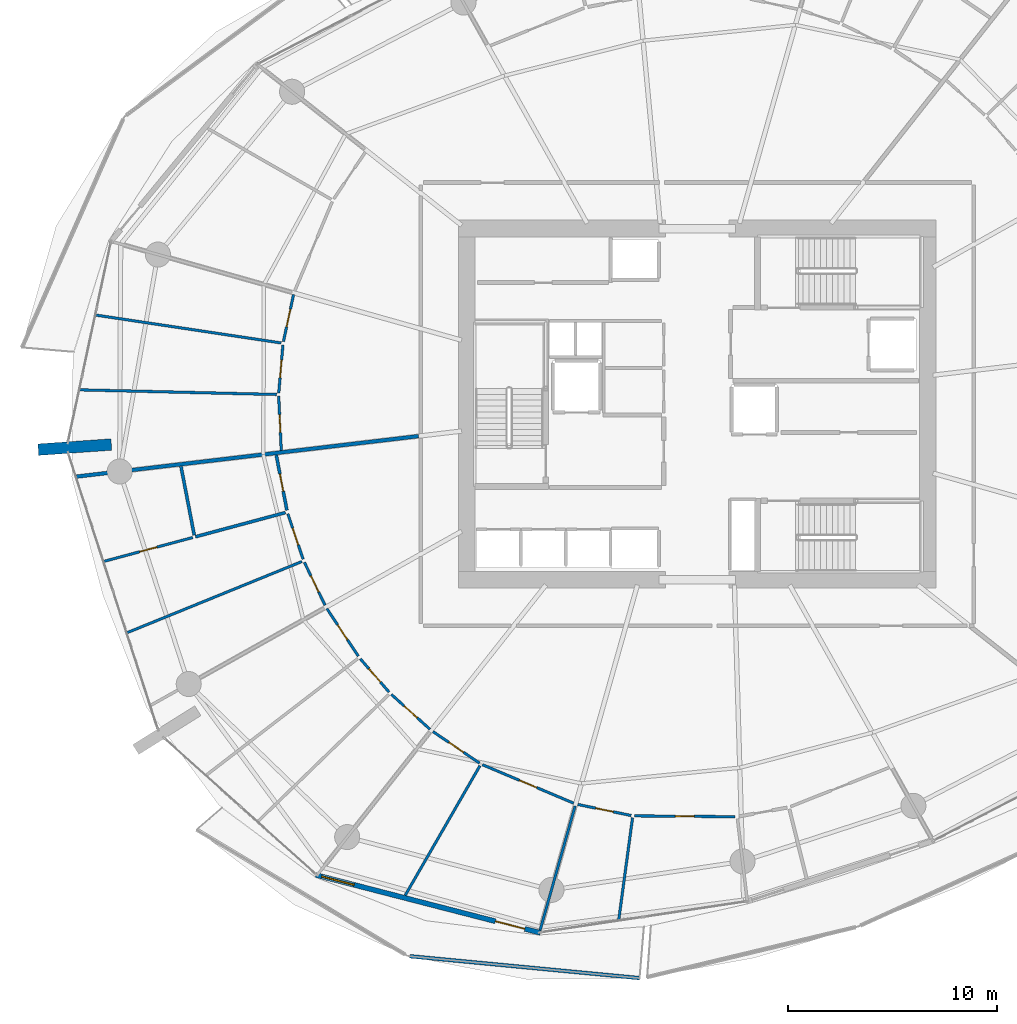
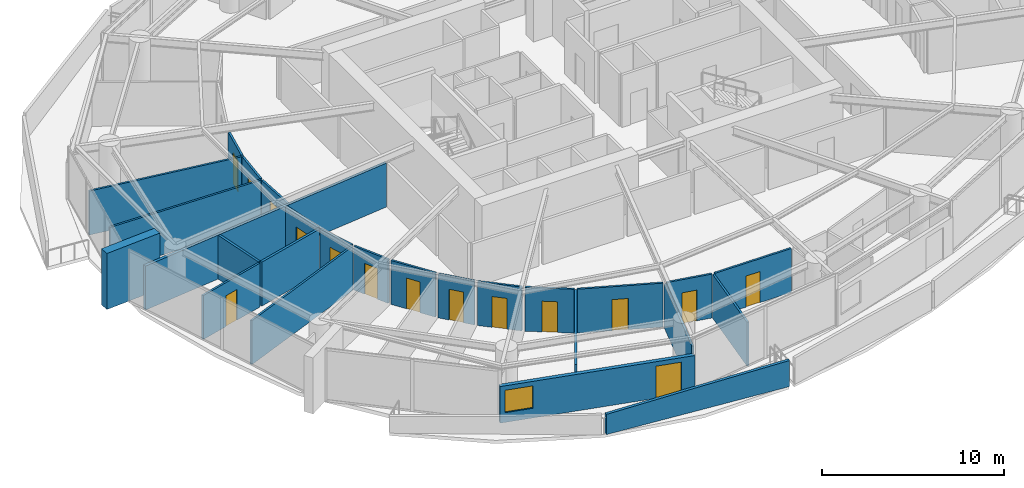
# One storey, part 11 of 23: 26 walls, 15 doors, 1 window, 16 openings.
"""IFC4 building model written with IfcOpenShell, lengths in metres."""

from ifc_helpers import new_model, si_unit, direction, frame, frame_2d, origin, place, context, subcontext, project, spatial, polyline, rectangle, outline, extrude, material, layer, layer_set, type_object, element, fill, save


model = new_model("IFC4")

# Units and contexts
model_context = context("Model", 3, precision=1e-05, world=origin(), true_north=direction((0.0, 1.0)))
body_context = subcontext(model_context, "Body", "Model", "MODEL_VIEW")
ifc_project = project(units=[si_unit("LENGTHUNIT", "METRE"), si_unit("AREAUNIT", "SQUARE_METRE"), si_unit("VOLUMEUNIT", "CUBIC_METRE"), si_unit("PLANEANGLEUNIT", "RADIAN"), si_unit("MASSUNIT", "GRAM", prefix="KILO")], contexts=[model_context])

# Site, building, storey
site_placement = place(None, origin())
site = spatial("IfcSite", under=ifc_project, at=site_placement, CompositionType="ELEMENT")
building_placement = place(site_placement, origin())
building = spatial("IfcBuilding", under=site, at=building_placement, Name="Kazma Halo Residences", CompositionType="ELEMENT")
storey_placement = place(building_placement, frame((0.0, 0.0, 105.14990234375)))
storey = spatial("IfcBuildingStorey", under=building, at=storey_placement, Name="L26", CompositionType="ELEMENT", Elevation=105.14990234375)

# Walls
ifc_material_1 = material(Name="White Concrete C50/60 Balustrade", Category="concrete")
ifc_layer_1 = layer(ifc_material_1, 0.179931640625)
ifc_layer_set_1 = layer_set([ifc_layer_1], Name="White Concrete C50/60 Balustrade")
wall_type_1 = type_object("IfcWallType", Name="WL-BAL-WAVE-180", PredefinedType="PARAPET", material=ifc_layer_set_1)
wall_1_placement = place(storey_placement, frame((34.670654296875, 15.593505859375, 0.0), z_axis=(0.0, 0.0, 1.0), x_axis=(0.995493287649, -0.094832031752, 0.0)))
element("IfcWall", 1, at=wall_1_placement, inside=storey, type_object=wall_type_1, Name="L26 white wave balustrade wall SW.2", PredefinedType="PARAPET", context=body_context, shape_type="SweptSolid", body=[
    extrude(outline(polyline([(0.0, 0.0), (11.049560546875, 0.0), (11.0498046875, 1.7470703125), (5.52490234375, 1.56201171875), (0.0, 1.34814453125), (0.0, 0.0)])), frame((0.0, 0.08984375, 0.0), z_axis=(0.0, -1.0, 0.0), x_axis=(1.0, 0.0, 0.0)), (0.0, 0.0, 1.0), 0.179931640625),
])
ifc_material_2 = material(Name="Pale Concrete C60/75", Category="concrete")
ifc_layer_2 = layer(ifc_material_2, 0.550048828125)
ifc_layer_set_2 = layer_set([ifc_layer_2], Name="Pale Concrete C60/75")
wall_type_2 = type_object("IfcWallType", Name="WL-BLADE-550", PredefinedType="SOLIDWALL", material=ifc_layer_set_2)
wall_2_placement = place(storey_placement, frame((20.393798828125, 40.069580078125, 0.0), z_axis=(0.0, 0.0, 1.0), x_axis=(-0.997564163539, -0.069754853754, 0.0)))
element("IfcWall", 2, at=wall_2_placement, inside=storey, type_object=wall_type_2, Name="L26 pale concrete structural blade fin wall BW-02", PredefinedType="SOLIDWALL", context=body_context, shape_type="SweptSolid", body=[
    extrude(rectangle(XDim=3.5, YDim=0.550048828125, at=frame_2d((1.75, 0.0))), origin(), (0.0, 0.0, 1.0), 3.75),
])
ifc_material_3 = material(Name="Acoustic Twin-Stud Gypsum")
ifc_layer_3 = layer(ifc_material_3, 0.179931640625)
ifc_layer_set_3 = layer_set([ifc_layer_3], Name="Acoustic Twin-Stud Gypsum")
wall_type_3 = type_object("IfcWallType", Name="WL-DEM-180", PredefinedType="PARTITIONING", material=ifc_layer_set_3)
wall_3_placement = place(storey_placement, frame((35.0908203125, 40.47216796875, 0.0), z_axis=(0.0, 0.0, 1.0), x_axis=(-0.99306845132, -0.117537445069, 0.0)))
element("IfcWall", 3, at=wall_3_placement, inside=storey, type_object=wall_type_3, Name="L26 apartment demising radial wall 07", PredefinedType="PARTITIONING", context=body_context, shape_type="SweptSolid", body=[
    extrude(rectangle(XDim=16.47998046875, YDim=0.179931640625, at=frame_2d((8.239990234375, 0.0))), origin(), (0.0, 0.0, 1.0), 2.940185546875),
])

# Wall, openings, door, window
ifc_material_4 = material(Name="Insulated Pale-Metal Composite Wall")
ifc_layer_4 = layer(ifc_material_4, 0.239990234375)
ifc_layer_set_4 = layer_set([ifc_layer_4], Name="Insulated Pale-Metal Composite Wall")
wall_type_4 = type_object("IfcWallType", Name="WL-EXT-HOST-240", PredefinedType="SOLIDWALL", material=ifc_layer_set_4)
wall_4_placement = place(storey_placement, frame((30.18603515625, 19.47705078125, 0.0), z_axis=(0.0, 0.0, 1.0), x_axis=(0.968356180858, -0.249572248045, 0.0)))
wall_4 = element("IfcWall", 4, at=wall_4_placement, inside=storey, type_object=wall_type_4, Name="L26 exterior terrace-access wall B10", PredefinedType="SOLIDWALL", context=body_context, shape_type="SweptSolid", body=[
    extrude(rectangle(XDim=11.08447265625, YDim=0.239990234375, at=frame_2d((5.542236328125, 0.0))), origin(), (0.0, 0.0, 1.0), 2.4501953125),
])
opening_1_placement = place(wall_4_placement, frame((8.864501953125, 0.0, 0.0)))
opening_1 = element("IfcOpeningElement", 5, at=opening_1_placement, cuts=wall_4, Name="Opening DTR-1600", PredefinedType="OPENING", context=body_context, shape_type="SweptSolid", body=[
    extrude(rectangle(XDim=1.449951171875, YDim=2.14990234375, at=frame_2d((0.72509765625, 1.074951171875))), frame((0.0, 0.1298828125, 0.0), z_axis=(0.0, -1.0, 0.0), x_axis=(1.0, 0.0, 0.0)), (0.0, 0.0, 1.0), 0.260009765625),
])
opening_2_placement = place(wall_4_placement, frame((0.280029296875, 0.0, 0.64990234375)))
opening_2 = element("IfcOpeningElement", 6, at=opening_2_placement, cuts=wall_4, Name="Opening W-1800", PredefinedType="OPENING", context=body_context, shape_type="SweptSolid", body=[
    extrude(rectangle(XDim=1.60009765625, YDim=1.5, at=frame_2d((0.800048828125, 0.75))), frame((0.0, 0.1298828125, 0.0), z_axis=(0.0, -1.0, 0.0), x_axis=(1.0, 0.0, 0.0)), (0.0, 0.0, 1.0), 0.260009765625),
])
ifc_material_5 = material(Name="Aluminium AW-6063 T6 Double-Glazed Terrace Door", Category="aluminium")
door_type_1 = type_object("IfcDoorType", Name="DR-EXT-TERR-1600", OperationType="NOTDEFINED", PredefinedType="DOOR", material=ifc_material_5)
door_1_placement = place(opening_1_placement, origin())
door_1 = element("IfcDoor", 7, at=door_1_placement, inside=storey, type_object=door_type_1, Name="L26 B10 balcony terrace door", OperationType="DOUBLE_DOOR_SLIDING", OverallHeight=2.14990234375, OverallWidth=1.449951171875, PredefinedType="DOOR", context=body_context, shape_type="SweptSolid", body=[
    extrude(rectangle(XDim=1.449951171875, YDim=2.14990234375, at=frame_2d((0.72509765625, 1.074951171875))), frame((0.0, 0.02490234375, 0.0), z_axis=(0.0, -1.0, 0.0), x_axis=(1.0, 0.0, 0.0)), (0.0, 0.0, 1.0), 0.050048828125),
])
fill(opening_1, door_1)
ifc_material_6 = material(Name="Clear Triple-Silver Low-E Glass in Aluminium AW-6063 T6 Frame", Category="aluminium")
window_type = type_object("IfcWindowType", Name="WIN-RES-1800", PartitioningType="DOUBLE_PANEL_VERTICAL", PredefinedType="WINDOW", material=ifc_material_6)
window_placement = place(opening_2_placement, origin())
window = element("IfcWindow", 8, at=window_placement, inside=storey, type_object=window_type, Name="L26 B10 apartment window", OverallHeight=1.5, OverallWidth=1.60009765625, PartitioningType="SINGLE_PANEL", PredefinedType="WINDOW", context=body_context, shape_type="SweptSolid", body=[
    extrude(rectangle(XDim=1.60009765625, YDim=1.5, at=frame_2d((0.800048828125, 0.75))), frame((0.0, 0.030029296875, 0.0), z_axis=(0.0, -1.0, 0.0), x_axis=(1.0, 0.0, 0.0)), (0.0, 0.0, 1.0), 0.06005859375),
])
fill(opening_2, window)

# Walls
ifc_material_7 = material(Name="Gypsum Plasterboard Partition")
ifc_layer_5 = layer(ifc_material_7, 0.125)
ifc_layer_set_5 = layer_set([ifc_layer_5], Name="Gypsum Plasterboard Partition")
wall_type_5 = type_object("IfcWallType", Name="WL-PART-125", PredefinedType="PARTITIONING", material=ifc_layer_set_5)
wall_5_placement = place(storey_placement, frame((28.52001953125, 44.9287109375, 0.0), z_axis=(0.0, 0.0, 1.0), x_axis=(-0.988886383278, 0.148673201912, 0.0)))
element("IfcWall", 9, at=wall_5_placement, inside=storey, type_object=wall_type_5, Name="L26 Apartment 1 bay wall 1 6", PredefinedType="PARTITIONING", context=body_context, shape_type="SweptSolid", body=[
    extrude(rectangle(XDim=8.96923828125, YDim=0.125, at=frame_2d((4.484619140625, 0.0))), origin(), (0.0, 0.0, 1.0), 2.940185546875),
])
wall_6_placement = place(storey_placement, frame((28.306396484375, 42.464111328125, 0.0), z_axis=(0.0, 0.0, 1.0), x_axis=(-0.999722179252, 0.023570411771, 0.0)))
element("IfcWall", 10, at=wall_6_placement, inside=storey, type_object=wall_type_5, Name="L26 Apartment 1 bay wall 2 6", PredefinedType="PARTITIONING", context=body_context, shape_type="SweptSolid", body=[
    extrude(rectangle(XDim=9.42578125, YDim=0.125, at=frame_2d((4.712890625, 0.0))), origin(), (0.0, 0.0, 1.0), 2.940185546875),
])

# Wall, opening, door
wall_7_placement = place(storey_placement, frame((29.1103515625, 47.244384765625, 0.0), z_axis=(0.0, 0.0, 1.0), x_axis=(-0.210470334655, -0.977600244594, 0.0)))
wall_7 = element("IfcWall", 11, at=wall_7_placement, inside=storey, type_object=wall_type_5, Name="L26 Apartment 1 Corner Bedroom hall wall", PredefinedType="PARTITIONING", context=body_context, shape_type="SweptSolid", body=[
    extrude(rectangle(XDim=2.302490234375, YDim=0.125, at=frame_2d((1.1513671875, 0.0))), origin(), (0.0, 0.0, 1.0), 2.940185546875),
])
opening_3_placement = place(wall_7_placement, frame((0.726318359375, 0.0, 0.0)))
opening_3 = element("IfcOpeningElement", 12, at=opening_3_placement, cuts=wall_7, Name="Opening DB-900", PredefinedType="OPENING", context=body_context, shape_type="SweptSolid", body=[
    extrude(rectangle(XDim=0.85009765625, YDim=2.06005859375, at=frame_2d((0.425048828125, 1.030029296875))), frame((0.0, 0.072509765625, 0.0), z_axis=(0.0, -1.0, 0.0), x_axis=(1.0, 0.0, 0.0)), (0.0, 0.0, 1.0), 0.14501953125),
])
ifc_material_8 = material(Name="Moisture-Sealed Timber Leaf", Category="wood")
door_type_2 = type_object("IfcDoorType", Name="DR-BTH-900", OperationType="NOTDEFINED", PredefinedType="DOOR", material=ifc_material_8)
door_2_placement = place(opening_3_placement, origin())
door_2 = element("IfcDoor", 13, at=door_2_placement, inside=storey, type_object=door_type_2, Name="L26 Apartment 1 Corner Bedroom door", OperationType="SINGLE_SWING_RIGHT", OverallHeight=2.06005859375, OverallWidth=0.85009765625, PredefinedType="DOOR", context=body_context, shape_type="SweptSolid", body=[
    extrude(rectangle(XDim=0.85009765625, YDim=2.06005859375, at=frame_2d((0.425048828125, 1.030029296875))), frame((0.0, 0.02490234375, 0.0), z_axis=(0.0, -1.0, 0.0), x_axis=(1.0, 0.0, 0.0)), (0.0, 0.0, 1.0), 0.050048828125),
])
fill(opening_3, door_2)

wall_8_placement = place(storey_placement, frame((28.60205078125, 44.835693359375, 0.0), z_axis=(0.0, 0.0, 1.0), x_axis=(-0.086309330274, -0.996268387287, 0.0)))
wall_8 = element("IfcWall", 14, at=wall_8_placement, inside=storey, type_object=wall_type_5, Name="L26 Apartment 1 Garden Study hall wall", PredefinedType="PARTITIONING", context=body_context, shape_type="SweptSolid", body=[
    extrude(rectangle(XDim=2.302490234375, YDim=0.125, at=frame_2d((1.1513671875, 0.0))), origin(), (0.0, 0.0, 1.0), 2.940185546875),
])
opening_4_placement = place(wall_8_placement, frame((0.726318359375, 0.0, 0.0)))
opening_4 = element("IfcOpeningElement", 15, at=opening_4_placement, cuts=wall_8, Name="Opening DB-900", PredefinedType="OPENING", context=body_context, shape_type="SweptSolid", body=[
    extrude(rectangle(XDim=0.85009765625, YDim=2.06005859375, at=frame_2d((0.425048828125, 1.030029296875))), frame((0.0, 0.072509765625, 0.0), z_axis=(0.0, -1.0, 0.0), x_axis=(1.0, 0.0, 0.0)), (0.0, 0.0, 1.0), 0.14501953125),
])
door_3_placement = place(opening_4_placement, origin())
door_3 = element("IfcDoor", 16, at=door_3_placement, inside=storey, type_object=door_type_2, Name="L26 Apartment 1 Garden Study door", OperationType="SINGLE_SWING_LEFT", OverallHeight=2.06005859375, OverallWidth=0.85009765625, PredefinedType="DOOR", context=body_context, shape_type="SweptSolid", body=[
    extrude(rectangle(XDim=0.85009765625, YDim=2.06005859375, at=frame_2d((0.425048828125, 1.030029296875))), frame((0.0, 0.02490234375, 0.0), z_axis=(0.0, -1.0, 0.0), x_axis=(1.0, 0.0, 0.0)), (0.0, 0.0, 1.0), 0.050048828125),
])
fill(opening_4, door_3)

wall_9_placement = place(storey_placement, frame((28.400146484375, 42.382080078125, 0.0), z_axis=(0.0, 0.0, 1.0), x_axis=(0.047147361322, -0.998887944827, 0.0)))
wall_9 = element("IfcWall", 17, at=wall_9_placement, inside=storey, type_object=wall_type_5, Name="L26 Apartment 1 Sky Bedroom hall wall", PredefinedType="PARTITIONING", context=body_context, shape_type="SweptSolid", body=[
    extrude(rectangle(XDim=2.60986328125, YDim=0.125, at=frame_2d((1.304931640625, 0.0))), origin(), (0.0, 0.0, 1.0), 2.940185546875),
])
opening_5_placement = place(wall_9_placement, frame((0.8798828125, 0.0, 0.0)))
opening_5 = element("IfcOpeningElement", 18, at=opening_5_placement, cuts=wall_9, Name="Opening DB-900", PredefinedType="OPENING", context=body_context, shape_type="SweptSolid", body=[
    extrude(rectangle(XDim=0.85009765625, YDim=2.06005859375, at=frame_2d((0.425048828125, 1.030029296875))), frame((0.0, 0.072509765625, 0.0), z_axis=(0.0, -1.0, 0.0), x_axis=(1.0, 0.0, 0.0)), (0.0, 0.0, 1.0), 0.14501953125),
])
door_4_placement = place(opening_5_placement, origin())
door_4 = element("IfcDoor", 19, at=door_4_placement, inside=storey, type_object=door_type_2, Name="L26 Apartment 1 Sky Bedroom door", OperationType="SINGLE_SWING_RIGHT", OverallHeight=2.06005859375, OverallWidth=0.85009765625, PredefinedType="DOOR", context=body_context, shape_type="SweptSolid", body=[
    extrude(rectangle(XDim=0.85009765625, YDim=2.06005859375, at=frame_2d((0.425048828125, 1.030029296875))), frame((0.0, 0.02490234375, 0.0), z_axis=(0.0, -1.0, 0.0), x_axis=(1.0, 0.0, 0.0)), (0.0, 0.0, 1.0), 0.050048828125),
])
fill(opening_5, door_4)

wall_10_placement = place(storey_placement, frame((24.290283203125, 35.623779296875, 0.0), z_axis=(0.0, 0.0, 1.0), x_axis=(-0.965686463705, -0.259710711787, 0.0)))
wall_10 = element("IfcWall", 20, at=wall_10_placement, inside=storey, type_object=wall_type_5, Name="L26 Apartment 2 Utility Laundry Room partition wall", PredefinedType="PARTITIONING", context=body_context, shape_type="SweptSolid", body=[
    extrude(rectangle(XDim=4.3984375, YDim=0.125, at=frame_2d((2.19921875, 0.0))), origin(), (0.0, 0.0, 1.0), 2.940185546875),
])
opening_6_placement = place(wall_10_placement, frame((1.7744140625, 0.0, 0.0)))
opening_6 = element("IfcOpeningElement", 21, at=opening_6_placement, cuts=wall_10, Name="Opening DB-900", PredefinedType="OPENING", context=body_context, shape_type="SweptSolid", body=[
    extrude(rectangle(XDim=0.85009765625, YDim=2.06005859375, at=frame_2d((0.425048828125, 1.030029296875))), frame((0.0, 0.072509765625, 0.0), z_axis=(0.0, -1.0, 0.0), x_axis=(1.0, 0.0, 0.0)), (0.0, 0.0, 1.0), 0.14501953125),
])
door_5_placement = place(opening_6_placement, origin())
door_5 = element("IfcDoor", 22, at=door_5_placement, inside=storey, type_object=door_type_2, Name="L26 Apartment 2 Utility Laundry Room door", OperationType="SINGLE_SWING_LEFT", OverallHeight=2.06005859375, OverallWidth=0.85009765625, PredefinedType="DOOR", context=body_context, shape_type="SweptSolid", body=[
    extrude(rectangle(XDim=0.85009765625, YDim=2.06005859375, at=frame_2d((0.425048828125, 1.030029296875))), frame((0.0, 0.02490234375, 0.0), z_axis=(0.0, -1.0, 0.0), x_axis=(1.0, 0.0, 0.0)), (0.0, 0.0, 1.0), 0.050048828125),
])
fill(opening_6, door_5)

# Wall
wall_11_placement = place(storey_placement, frame((29.51123046875, 34.473388671875, 0.0), z_axis=(0.0, 0.0, 1.0), x_axis=(-0.926185438401, -0.37706834088, 0.0)))
element("IfcWall", 23, at=wall_11_placement, inside=storey, type_object=wall_type_5, Name="L26 Apartment 2 suite divider 7", PredefinedType="PARTITIONING", context=body_context, shape_type="SweptSolid", body=[
    extrude(rectangle(XDim=9.0263671875, YDim=0.125, at=frame_2d((4.51318359375, 0.0))), origin(), (0.0, 0.0, 1.0), 2.940185546875),
])

# Wall, opening, door
wall_12_placement = place(storey_placement, frame((28.83837890625, 36.75390625, 0.0), z_axis=(0.0, 0.0, 1.0), x_axis=(0.31900826941, -0.947751931704, 0.0)))
wall_12 = element("IfcWall", 24, at=wall_12_placement, inside=storey, type_object=wall_type_5, Name="L26 Apartment 2 Gourmet Kitchen hall wall", PredefinedType="PARTITIONING", context=body_context, shape_type="SweptSolid", body=[
    extrude(rectangle(XDim=2.29052734375, YDim=0.125, at=frame_2d((1.145263671875, 0.0))), origin(), (0.0, 0.0, 1.0), 2.940185546875),
])
opening_7_placement = place(wall_12_placement, frame((0.72021484375, 0.0, 0.0)))
opening_7 = element("IfcOpeningElement", 25, at=opening_7_placement, cuts=wall_12, Name="Opening DB-900", PredefinedType="OPENING", context=body_context, shape_type="SweptSolid", body=[
    extrude(rectangle(XDim=0.85009765625, YDim=2.06005859375, at=frame_2d((0.425048828125, 1.030029296875))), frame((0.0, 0.072509765625, 0.0), z_axis=(0.0, -1.0, 0.0), x_axis=(1.0, 0.0, 0.0)), (0.0, 0.0, 1.0), 0.14501953125),
])
door_6_placement = place(opening_7_placement, origin())
door_6 = element("IfcDoor", 26, at=door_6_placement, inside=storey, type_object=door_type_2, Name="L26 Apartment 2 Gourmet Kitchen door", OperationType="SINGLE_SWING_RIGHT", OverallHeight=2.06005859375, OverallWidth=0.85009765625, PredefinedType="DOOR", context=body_context, shape_type="SweptSolid", body=[
    extrude(rectangle(XDim=0.85009765625, YDim=2.06005859375, at=frame_2d((0.425048828125, 1.030029296875))), frame((0.0, 0.02490234375, 0.0), z_axis=(0.0, -1.0, 0.0), x_axis=(1.0, 0.0, 0.0)), (0.0, 0.0, 1.0), 0.050048828125),
])
fill(opening_7, door_6)

wall_13_placement = place(storey_placement, frame((29.62939453125, 34.43505859375, 0.0), z_axis=(0.0, 0.0, 1.0), x_axis=(0.433673987986, -0.901069848649, 0.0)))
wall_13 = element("IfcWall", 27, at=wall_13_placement, inside=storey, type_object=wall_type_5, Name="L26 Apartment 2 Primary Bedroom hall wall", PredefinedType="PARTITIONING", context=body_context, shape_type="SweptSolid", body=[
    extrude(rectangle(XDim=2.280517578125, YDim=0.125, at=frame_2d((1.14013671875, 0.0))), origin(), (0.0, 0.0, 1.0), 2.940185546875),
])
opening_8_placement = place(wall_13_placement, frame((0.71533203125, 0.0, 0.0)))
opening_8 = element("IfcOpeningElement", 28, at=opening_8_placement, cuts=wall_13, Name="Opening DB-900", PredefinedType="OPENING", context=body_context, shape_type="SweptSolid", body=[
    extrude(rectangle(XDim=0.85009765625, YDim=2.06005859375, at=frame_2d((0.425048828125, 1.030029296875))), frame((0.0, 0.072509765625, 0.0), z_axis=(0.0, -1.0, 0.0), x_axis=(1.0, 0.0, 0.0)), (0.0, 0.0, 1.0), 0.14501953125),
])
door_7_placement = place(opening_8_placement, origin())
door_7 = element("IfcDoor", 29, at=door_7_placement, inside=storey, type_object=door_type_2, Name="L26 Apartment 2 Primary Bedroom door", OperationType="SINGLE_SWING_LEFT", OverallHeight=2.06005859375, OverallWidth=0.85009765625, PredefinedType="DOOR", context=body_context, shape_type="SweptSolid", body=[
    extrude(rectangle(XDim=0.85009765625, YDim=2.06005859375, at=frame_2d((0.425048828125, 1.030029296875))), frame((0.0, 0.02490234375, 0.0), z_axis=(0.0, -1.0, 0.0), x_axis=(1.0, 0.0, 0.0)), (0.0, 0.0, 1.0), 0.050048828125),
])
fill(opening_8, door_7)

wall_14_placement = place(storey_placement, frame((30.705810546875, 32.223388671875, 0.0), z_axis=(0.0, 0.0, 1.0), x_axis=(0.550682420902, -0.834714844309, 0.0)))
wall_14 = element("IfcWall", 30, at=wall_14_placement, inside=storey, type_object=wall_type_5, Name="L26 Apartment 2 Primary Bedroom hall wall", PredefinedType="PARTITIONING", context=body_context, shape_type="SweptSolid", body=[
    extrude(rectangle(XDim=2.724853515625, YDim=0.125, at=frame_2d((1.3623046875, 0.0))), origin(), (0.0, 0.0, 1.0), 2.940185546875),
])
opening_9_placement = place(wall_14_placement, frame((0.937255859375, 0.0, 0.0)))
opening_9 = element("IfcOpeningElement", 31, at=opening_9_placement, cuts=wall_14, Name="Opening DB-900", PredefinedType="OPENING", context=body_context, shape_type="SweptSolid", body=[
    extrude(rectangle(XDim=0.85009765625, YDim=2.06005859375, at=frame_2d((0.425048828125, 1.030029296875))), frame((0.0, 0.072509765625, 0.0), z_axis=(0.0, -1.0, 0.0), x_axis=(1.0, 0.0, 0.0)), (0.0, 0.0, 1.0), 0.14501953125),
])
door_8_placement = place(opening_9_placement, origin())
door_8 = element("IfcDoor", 32, at=door_8_placement, inside=storey, type_object=door_type_2, Name="L26 Apartment 2 Primary Bedroom door", OperationType="SINGLE_SWING_RIGHT", OverallHeight=2.06005859375, OverallWidth=0.85009765625, PredefinedType="DOOR", context=body_context, shape_type="SweptSolid", body=[
    extrude(rectangle(XDim=0.85009765625, YDim=2.06005859375, at=frame_2d((0.425048828125, 1.030029296875))), frame((0.0, 0.02490234375, 0.0), z_axis=(0.0, -1.0, 0.0), x_axis=(1.0, 0.0, 0.0)), (0.0, 0.0, 1.0), 0.050048828125),
])
fill(opening_9, door_8)

wall_15_placement = place(storey_placement, frame((32.302490234375, 29.821533203125, 0.0), z_axis=(0.0, 0.0, 1.0), x_axis=(0.653904073591, -0.756577466318, 0.0)))
wall_15 = element("IfcWall", 33, at=wall_15_placement, inside=storey, type_object=wall_type_5, Name="L26 Apartment 2 Secondary Study hall wall", PredefinedType="PARTITIONING", context=body_context, shape_type="SweptSolid", body=[
    extrude(rectangle(XDim=2.10205078125, YDim=0.125, at=frame_2d((1.051025390625, 0.0))), origin(), (0.0, 0.0, 1.0), 2.940185546875),
])
opening_10_placement = place(wall_15_placement, frame((0.6259765625, 0.0, 0.0)))
opening_10 = element("IfcOpeningElement", 34, at=opening_10_placement, cuts=wall_15, Name="Opening DB-900", PredefinedType="OPENING", context=body_context, shape_type="SweptSolid", body=[
    extrude(rectangle(XDim=0.85009765625, YDim=2.06005859375, at=frame_2d((0.425048828125, 1.030029296875))), frame((0.0, 0.072509765625, 0.0), z_axis=(0.0, -1.0, 0.0), x_axis=(1.0, 0.0, 0.0)), (0.0, 0.0, 1.0), 0.14501953125),
])
door_9_placement = place(opening_10_placement, origin())
door_9 = element("IfcDoor", 35, at=door_9_placement, inside=storey, type_object=door_type_2, Name="L26 Apartment 2 Secondary Study door", OperationType="SINGLE_SWING_LEFT", OverallHeight=2.06005859375, OverallWidth=0.85009765625, PredefinedType="DOOR", context=body_context, shape_type="SweptSolid", body=[
    extrude(rectangle(XDim=0.85009765625, YDim=2.06005859375, at=frame_2d((0.425048828125, 1.030029296875))), frame((0.0, 0.02490234375, 0.0), z_axis=(0.0, -1.0, 0.0), x_axis=(1.0, 0.0, 0.0)), (0.0, 0.0, 1.0), 0.050048828125),
])
fill(opening_10, door_9)

wall_16_placement = place(storey_placement, frame((33.788818359375, 28.1171875, 0.0), z_axis=(0.0, 0.0, 1.0), x_axis=(0.742250438722, -0.670122590439, 0.0)))
wall_16 = element("IfcWall", 36, at=wall_16_placement, inside=storey, type_object=wall_type_5, Name="L26 Apartment 2 East Bedroom hall wall", PredefinedType="PARTITIONING", context=body_context, shape_type="SweptSolid", body=[
    extrude(rectangle(XDim=2.4912109375, YDim=0.125, at=frame_2d((1.24560546875, 0.0))), origin(), (0.0, 0.0, 1.0), 2.940185546875),
])
opening_11_placement = place(wall_16_placement, frame((0.820556640625, 0.0, 0.0)))
opening_11 = element("IfcOpeningElement", 37, at=opening_11_placement, cuts=wall_16, Name="Opening DB-900", PredefinedType="OPENING", context=body_context, shape_type="SweptSolid", body=[
    extrude(rectangle(XDim=0.85009765625, YDim=2.06005859375, at=frame_2d((0.425048828125, 1.030029296875))), frame((0.0, 0.072509765625, 0.0), z_axis=(0.0, -1.0, 0.0), x_axis=(1.0, 0.0, 0.0)), (0.0, 0.0, 1.0), 0.14501953125),
])
door_10_placement = place(opening_11_placement, origin())
door_10 = element("IfcDoor", 38, at=door_10_placement, inside=storey, type_object=door_type_2, Name="L26 Apartment 2 East Bedroom door", OperationType="SINGLE_SWING_RIGHT", OverallHeight=2.06005859375, OverallWidth=0.85009765625, PredefinedType="DOOR", context=body_context, shape_type="SweptSolid", body=[
    extrude(rectangle(XDim=0.85009765625, YDim=2.06005859375, at=frame_2d((0.425048828125, 1.030029296875))), frame((0.0, 0.02490234375, 0.0), z_axis=(0.0, -1.0, 0.0), x_axis=(1.0, 0.0, 0.0)), (0.0, 0.0, 1.0), 0.050048828125),
])
fill(opening_11, door_10)

# Wall
wall_17_placement = place(storey_placement, frame((38.028076171875, 24.70703125, 0.0), z_axis=(0.0, 0.0, 1.0), x_axis=(-0.499570967342, -0.866272964249, 0.0)))
element("IfcWall", 39, at=wall_17_placement, inside=storey, type_object=wall_type_5, Name="L26 Apartment 2 mid-bay wall 9", PredefinedType="PARTITIONING", context=body_context, shape_type="SweptSolid", body=[
    extrude(rectangle(XDim=7.162353515625, YDim=0.125, at=frame_2d((3.5810546875, 0.0))), origin(), (0.0, 0.0, 1.0), 2.940185546875),
])

# Wall, opening, door
wall_18_placement = place(storey_placement, frame((35.7802734375, 26.338134765625, 0.0), z_axis=(0.0, 0.0, 1.0), x_axis=(0.827963562543, -0.560781899762, 0.0)))
wall_18 = element("IfcWall", 40, at=wall_18_placement, inside=storey, type_object=wall_type_5, Name="L26 Apartment 2 West Laundry Room hall wall", PredefinedType="PARTITIONING", context=body_context, shape_type="SweptSolid", body=[
    extrude(rectangle(XDim=2.689208984375, YDim=0.125, at=frame_2d((1.3447265625, 0.0))), origin(), (0.0, 0.0, 1.0), 2.940185546875),
])
opening_12_placement = place(wall_18_placement, frame((0.919677734375, 0.0, 0.0)))
opening_12 = element("IfcOpeningElement", 41, at=opening_12_placement, cuts=wall_18, Name="Opening DB-900", PredefinedType="OPENING", context=body_context, shape_type="SweptSolid", body=[
    extrude(rectangle(XDim=0.85009765625, YDim=2.06005859375, at=frame_2d((0.425048828125, 1.030029296875))), frame((0.0, 0.072509765625, 0.0), z_axis=(0.0, -1.0, 0.0), x_axis=(1.0, 0.0, 0.0)), (0.0, 0.0, 1.0), 0.14501953125),
])
door_11_placement = place(opening_12_placement, origin())
door_11 = element("IfcDoor", 42, at=door_11_placement, inside=storey, type_object=door_type_2, Name="L26 Apartment 2 West Laundry Room door", OperationType="SINGLE_SWING_RIGHT", OverallHeight=2.06005859375, OverallWidth=0.85009765625, PredefinedType="DOOR", context=body_context, shape_type="SweptSolid", body=[
    extrude(rectangle(XDim=0.85009765625, YDim=2.06005859375, at=frame_2d((0.425048828125, 1.030029296875))), frame((0.0, 0.02490234375, 0.0), z_axis=(0.0, -1.0, 0.0), x_axis=(1.0, 0.0, 0.0)), (0.0, 0.0, 1.0), 0.050048828125),
])
fill(opening_12, door_11)

wall_19_placement = place(storey_placement, frame((38.146728515625, 24.75390625, 0.0), z_axis=(0.0, 0.0, 1.0), x_axis=(0.921465596947, -0.388459976888, 0.0)))
wall_19 = element("IfcWall", 43, at=wall_19_placement, inside=storey, type_object=wall_type_5, Name="L26 Apartment 2 North Master Bedroom hall wall", PredefinedType="PARTITIONING", context=body_context, shape_type="SweptSolid", body=[
    extrude(rectangle(XDim=4.739501953125, YDim=0.125, at=frame_2d((2.36962890625, 0.0))), origin(), (0.0, 0.0, 1.0), 2.940185546875),
])
opening_13_placement = place(wall_19_placement, frame((1.919677734375, 0.0, 0.0)))
opening_13 = element("IfcOpeningElement", 44, at=opening_13_placement, cuts=wall_19, Name="Opening DI-950", PredefinedType="OPENING", context=body_context, shape_type="SweptSolid", body=[
    extrude(rectangle(XDim=0.89990234375, YDim=2.080078125, at=frame_2d((0.449951171875, 1.0400390625))), frame((0.0, 0.072509765625, 0.0), z_axis=(0.0, -1.0, 0.0), x_axis=(1.0, 0.0, 0.0)), (0.0, 0.0, 1.0), 0.14501953125),
])
ifc_material_9 = material(Name="Timber Veneer Flush Leaf", Category="wood")
door_type_3 = type_object("IfcDoorType", Name="DR-INT-950", OperationType="NOTDEFINED", PredefinedType="DOOR", material=ifc_material_9)
door_12_placement = place(opening_13_placement, origin())
door_12 = element("IfcDoor", 45, at=door_12_placement, inside=storey, type_object=door_type_3, Name="L26 Apartment 2 North Master Bedroom door", OperationType="SINGLE_SWING_LEFT", OverallHeight=2.080078125, OverallWidth=0.89990234375, PredefinedType="DOOR", context=body_context, shape_type="SweptSolid", body=[
    extrude(rectangle(XDim=0.89990234375, YDim=2.080078125, at=frame_2d((0.449951171875, 1.0400390625))), frame((0.0, 0.02490234375, 0.0), z_axis=(0.0, -1.0, 0.0), x_axis=(1.0, 0.0, 0.0)), (0.0, 0.0, 1.0), 0.050048828125),
])
fill(opening_13, door_12)

# Walls
wall_20_placement = place(storey_placement, frame((42.578857421875, 22.77783203125, 0.0), z_axis=(0.0, 0.0, 1.0), x_axis=(-0.271466748189, -0.962447819171, 0.0)))
element("IfcWall", 46, at=wall_20_placement, inside=storey, type_object=wall_type_5, Name="L26 Apartment 2 radial partition 10", PredefinedType="PARTITIONING", context=body_context, shape_type="SweptSolid", body=[
    extrude(rectangle(XDim=6.165771484375, YDim=0.125, at=frame_2d((3.0830078125, 0.0))), origin(), (0.0, 0.0, 1.0), 2.940185546875),
])
wall_21_placement = place(storey_placement, frame((45.326904296875, 22.2177734375, 0.0), z_axis=(0.0, 0.0, 1.0), x_axis=(-0.133861540622, -0.99100004437, 0.0)))
element("IfcWall", 47, at=wall_21_placement, inside=storey, type_object=wall_type_5, Name="L26 Apartment 2 mid-bay wall 10", PredefinedType="PARTITIONING", context=body_context, shape_type="SweptSolid", body=[
    extrude(rectangle(XDim=4.9443359375, YDim=0.125, at=frame_2d((2.47216796875, 0.0))), origin(), (0.0, 0.0, 1.0), 2.940185546875),
])

# Wall, opening, door
wall_22_placement = place(storey_placement, frame((42.703857421875, 22.853759765625, 0.0), z_axis=(0.0, 0.0, 1.0), x_axis=(0.979145769619, -0.203158957069, 0.0)))
wall_22 = element("IfcWall", 48, at=wall_22_placement, inside=storey, type_object=wall_type_5, Name="L26 Apartment 2 South Bedroom hall wall", PredefinedType="PARTITIONING", context=body_context, shape_type="SweptSolid", body=[
    extrude(rectangle(XDim=2.611328125, YDim=0.125, at=frame_2d((1.3056640625, 0.0))), origin(), (0.0, 0.0, 1.0), 2.940185546875),
])
opening_14_placement = place(wall_22_placement, frame((0.880615234375, 0.0, 0.0)))
opening_14 = element("IfcOpeningElement", 49, at=opening_14_placement, cuts=wall_22, Name="Opening DB-900", PredefinedType="OPENING", context=body_context, shape_type="SweptSolid", body=[
    extrude(rectangle(XDim=0.85009765625, YDim=2.06005859375, at=frame_2d((0.425048828125, 1.030029296875))), frame((0.0, 0.072509765625, 0.0), z_axis=(0.0, -1.0, 0.0), x_axis=(1.0, 0.0, 0.0)), (0.0, 0.0, 1.0), 0.14501953125),
])
door_13_placement = place(opening_14_placement, origin())
door_13 = element("IfcDoor", 50, at=door_13_placement, inside=storey, type_object=door_type_2, Name="L26 Apartment 2 South Bedroom door", OperationType="SINGLE_SWING_LEFT", OverallHeight=2.06005859375, OverallWidth=0.85009765625, PredefinedType="DOOR", context=body_context, shape_type="SweptSolid", body=[
    extrude(rectangle(XDim=0.85009765625, YDim=2.06005859375, at=frame_2d((0.425048828125, 1.030029296875))), frame((0.0, 0.02490234375, 0.0), z_axis=(0.0, -1.0, 0.0), x_axis=(1.0, 0.0, 0.0)), (0.0, 0.0, 1.0), 0.050048828125),
])
fill(opening_14, door_13)

wall_23_placement = place(storey_placement, frame((45.419189453125, 22.30615234375, 0.0), z_axis=(0.0, 0.0, 1.0), x_axis=(0.99996628587, -0.008211401983, 0.0)))
wall_23 = element("IfcWall", 51, at=wall_23_placement, inside=storey, type_object=wall_type_5, Name="L26 Apartment 2 Inner Bedroom hall wall", PredefinedType="PARTITIONING", context=body_context, shape_type="SweptSolid", body=[
    extrude(rectangle(XDim=4.816650390625, YDim=0.125, at=frame_2d((2.408203125, 0.0))), origin(), (0.0, 0.0, 1.0), 2.940185546875),
])
opening_15_placement = place(wall_23_placement, frame((1.95849609375, 0.0, 0.0)))
opening_15 = element("IfcOpeningElement", 52, at=opening_15_placement, cuts=wall_23, Name="Opening DI-950", PredefinedType="OPENING", context=body_context, shape_type="SweptSolid", body=[
    extrude(rectangle(XDim=0.89990234375, YDim=2.080078125, at=frame_2d((0.449951171875, 1.0400390625))), frame((0.0, 0.072509765625, 0.0), z_axis=(0.0, -1.0, 0.0), x_axis=(1.0, 0.0, 0.0)), (0.0, 0.0, 1.0), 0.14501953125),
])
door_14_placement = place(opening_15_placement, origin())
door_14 = element("IfcDoor", 53, at=door_14_placement, inside=storey, type_object=door_type_3, Name="L26 Apartment 2 Inner Bedroom door", OperationType="SINGLE_SWING_RIGHT", OverallHeight=2.080078125, OverallWidth=0.89990234375, PredefinedType="DOOR", context=body_context, shape_type="SweptSolid", body=[
    extrude(rectangle(XDim=0.89990234375, YDim=2.080078125, at=frame_2d((0.449951171875, 1.0400390625))), frame((0.0, 0.02490234375, 0.0), z_axis=(0.0, -1.0, 0.0), x_axis=(1.0, 0.0, 0.0)), (0.0, 0.0, 1.0), 0.050048828125),
])
fill(opening_15, door_14)

ifc_material_10 = material(Name="Moisture-Resistant Gypsum")
ifc_layer_6 = layer(ifc_material_10, 0.14990234375)
ifc_layer_set_6 = layer_set([ifc_layer_6], Name="Moisture-Resistant Gypsum")
wall_type_6 = type_object("IfcWallType", Name="WL-WET-150", PredefinedType="PARTITIONING", material=ifc_layer_set_6)
wall_24_placement = place(storey_placement, frame((28.28466796875, 39.566162109375, 0.0), z_axis=(0.0, 0.0, 1.0), x_axis=(0.189069796262, -0.98196365113, 0.0)))
wall_24 = element("IfcWall", 54, at=wall_24_placement, inside=storey, type_object=wall_type_6, Name="L26 Apartment 2 Guest Bathroom hall wall", PredefinedType="PARTITIONING", context=body_context, shape_type="SweptSolid", body=[
    extrude(rectangle(XDim=2.687255859375, YDim=0.14990234375, at=frame_2d((1.34375, 0.0))), origin(), (0.0, 0.0, 1.0), 2.940185546875),
])
opening_16_placement = place(wall_24_placement, frame((0.91845703125, 0.0, 0.0)))
opening_16 = element("IfcOpeningElement", 55, at=opening_16_placement, cuts=wall_24, Name="Opening DB-900", PredefinedType="OPENING", context=body_context, shape_type="SweptSolid", body=[
    extrude(rectangle(XDim=0.85009765625, YDim=2.06005859375, at=frame_2d((0.425048828125, 1.030029296875))), frame((0.0, 0.0849609375, 0.0), z_axis=(0.0, -1.0, 0.0), x_axis=(1.0, 0.0, 0.0)), (0.0, 0.0, 1.0), 0.169921875),
])
door_15_placement = place(opening_16_placement, origin())
door_15 = element("IfcDoor", 56, at=door_15_placement, inside=storey, type_object=door_type_2, Name="L26 Apartment 2 Guest Bathroom door", OperationType="SINGLE_SWING_RIGHT", OverallHeight=2.06005859375, OverallWidth=0.85009765625, PredefinedType="DOOR", context=body_context, shape_type="SweptSolid", body=[
    extrude(rectangle(XDim=0.85009765625, YDim=2.06005859375, at=frame_2d((0.425048828125, 1.030029296875))), frame((0.0, 0.02490234375, 0.0), z_axis=(0.0, -1.0, 0.0), x_axis=(1.0, 0.0, 0.0)), (0.0, 0.0, 1.0), 0.050048828125),
])
fill(opening_16, door_15)

# Walls
wall_25_placement = place(storey_placement, frame((23.7265625, 39.026611328125, 0.0), z_axis=(0.0, 0.0, 1.0), x_axis=(0.189106762553, -0.981956532825, 0.0)))
element("IfcWall", 57, at=wall_25_placement, inside=storey, type_object=wall_type_6, Name="L26 Apartment 2 Guest Bathroom back wall", PredefinedType="PARTITIONING", context=body_context, shape_type="SweptSolid", body=[
    extrude(rectangle(XDim=3.3515625, YDim=0.14990234375, at=frame_2d((1.67578125, 0.0))), origin(), (0.0, 0.0, 1.0), 2.940185546875),
])
wall_26_placement = place(storey_placement, frame((28.722900390625, 36.81591796875, 0.0), z_axis=(0.0, 0.0, 1.0), x_axis=(-0.965677569119, -0.259743782409, 0.0)))
element("IfcWall", 58, at=wall_26_placement, inside=storey, type_object=wall_type_6, Name="L26 Apartment 2 Guest Bathroom side wall", PredefinedType="PARTITIONING", context=body_context, shape_type="SweptSolid", body=[
    extrude(rectangle(XDim=4.4599609375, YDim=0.14990234375, at=frame_2d((2.22998046875, 0.0))), origin(), (0.0, 0.0, 1.0), 2.940185546875),
])

save(model, "model.ifc")
